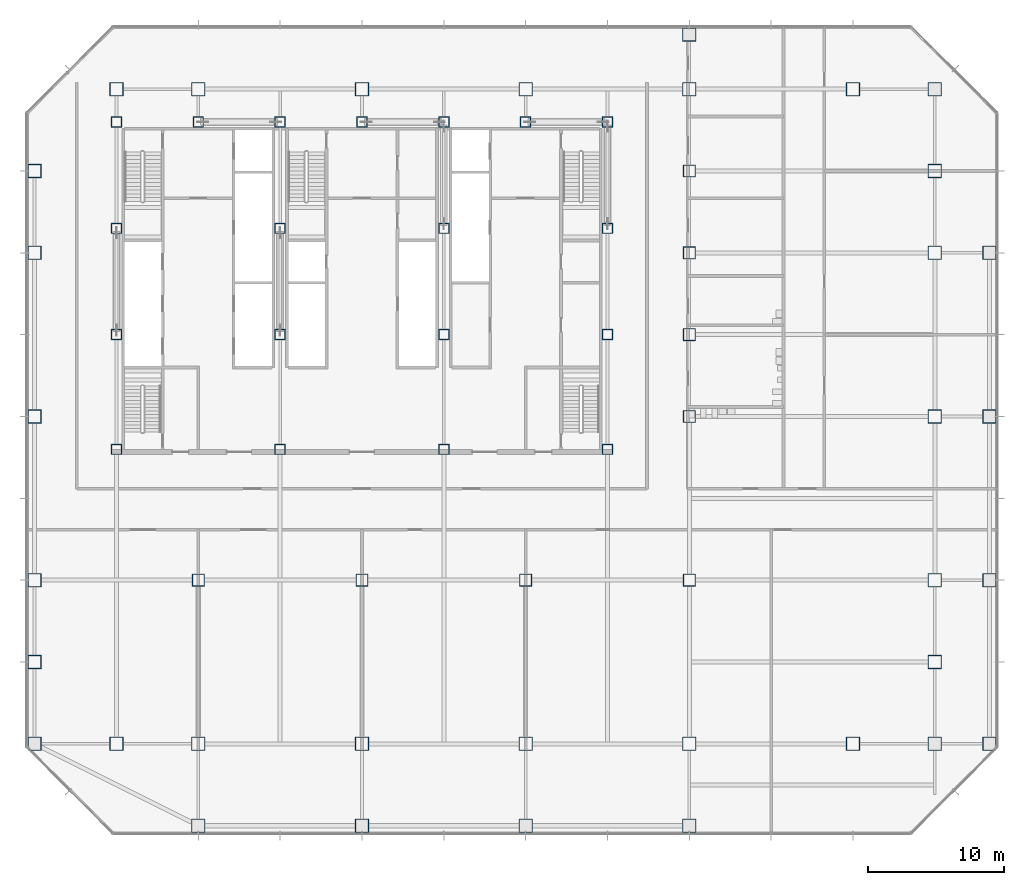
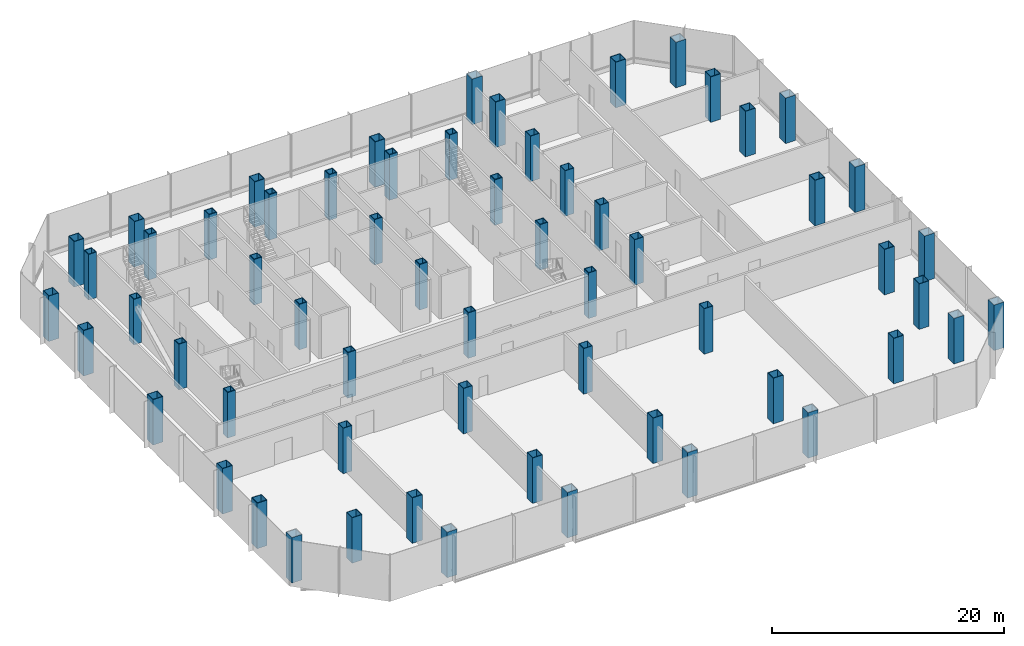
# One storey, part 1 of 34: 61 columns.
"""IFC4 building model written with IfcOpenShell, lengths in metres."""

from ifc_helpers import new_model, si_unit, direction, frame, origin, origin_2d, place, context, subcontext, project, spatial, hollow_rectangle, extrude, material, material_profile, profile_set, type_object, element, save


model = new_model("IFC4")

# Units and contexts
model_context = context("Model", 3, precision=1e-05, world=origin(), true_north=direction((0.0, 1.0)))
body_context = subcontext(model_context, "Body", "Model", "MODEL_VIEW")
ifc_project = project(units=[si_unit("LENGTHUNIT", "METRE"), si_unit("AREAUNIT", "SQUARE_METRE"), si_unit("VOLUMEUNIT", "CUBIC_METRE"), si_unit("PLANEANGLEUNIT", "RADIAN"), si_unit("MASSUNIT", "GRAM", prefix="KILO")], contexts=[model_context])

# Site, building, storey
site_placement = place(None, origin())
site = spatial("IfcSite", under=ifc_project, at=site_placement, CompositionType="ELEMENT")
building_placement = place(site_placement, origin())
building = spatial("IfcBuilding", under=site, at=building_placement, Name="Sorahane Residences", CompositionType="ELEMENT")
storey_placement = place(building_placement, frame((0.0, 0.0, 39.60009765625)))
storey = spatial("IfcBuildingStorey", under=building, at=storey_placement, Name="L06", CompositionType="ELEMENT", Elevation=39.60009765625)

# Columns
ifc_material_1 = material(Name="Steel Q420GJ", Category="steel")
ifc_material_profile_1 = material_profile(ifc_material_1, hollow_rectangle(XDim=1.0, YDim=1.0, WallThickness=0.050048828125, at=origin_2d()), Name="BOX 1000x1000x50")
ifc_profile_set_1 = profile_set([ifc_material_profile_1], Name="Steel Q420GJ")
column_type_1 = type_object("IfcColumnType", Name="Steel box column BOX 1000x1000x50 Q420GJ", PredefinedType="COLUMN", material=ifc_profile_set_1)
for number, where, z_axis, x_axis, name in (
    (1, (0.0, 0.0, 0.0), (0.0, 0.0, 1.0), (1.0, 0.0, 0.0), "Column L06 0/0"),
    (2, (0.0, 6.0, 0.0), (0.0, 0.0, 1.0), (1.0, 0.0, 0.0), "Column L06 m0/6"),
    (3, (0.0, 12.0, 0.0), (0.0, 0.0, 1.0), (1.0, 0.0, 0.0), "Column L06 m0/12"),
    (4, (0.0, 24.0, 0.0), (0.0, 0.0, 1.0), (1.0, 0.0, 0.0), "Column L06 m0/24"),
    (5, (0.0, 36.0, 0.0), (0.0, 0.0, 1.0), (1.0, 0.0, 0.0), "Column L06 m0/36"),
    (6, (0.0, 42.0, 0.0), (0.0, 0.0, 1.0), (1.0, 0.0, 0.0), "Column L06 m0/42"),
    (7, (6.0, 0.0, 0.0), (0.0, 0.0, 1.0), (1.0, 0.0, 0.0), "Column L06 6/0"),
    (8, (6.0, 48.0, 0.0), (0.0, 0.0, 1.0), (1.0, 0.0, 0.0), "Column L06 6/48"),
    (9, (12.0, -6.0, 0.0), (0.0, 0.0, 1.0), (1.0, 0.0, 0.0), "Column L06 12/m6"),
    (10, (12.0, 0.0, 0.0), (0.0, 0.0, 1.0), (1.0, 0.0, 0.0), "Column L06 12/0"),
    (11, (12.0, 48.0, 0.0), (0.0, 0.0, 1.0), (1.0, 0.0, 0.0), "Column L06 12/48"),
    (12, (24.0, -6.0, 0.0), (0.0, 0.0, 1.0), (1.0, 0.0, 0.0), "Column L06 24/m6"),
    (13, (24.0, 0.0, 0.0), (0.0, 0.0, 1.0), (1.0, 0.0, 0.0), "Column L06 24/0"),
    (14, (24.0, 48.0, 0.0), (0.0, 0.0, 1.0), (1.0, 0.0, 0.0), "Column L06 24/48"),
    (15, (36.0, -6.0, 0.0), (0.0, 0.0, 1.0), (1.0, 0.0, 0.0), "Column L06 36/m6"),
    (16, (36.0, 0.0, 0.0), (0.0, 0.0, 1.0), (1.0, 0.0, 0.0), "Column L06 36/0"),
    (17, (36.0, 48.0, 0.0), (0.0, 0.0, 1.0), (1.0, 0.0, 0.0), "Column L06 36/48"),
    (18, (48.0, -6.0, 0.0), (0.0, 0.0, 1.0), (1.0, 0.0, 0.0), "Column L06 48/m6"),
    (19, (48.0, 0.0, 0.0), (0.0, 0.0, 1.0), (1.0, 0.0, 0.0), "Column L06 48/0"),
    (20, (48.0, 48.0, 0.0), (0.0, 0.0, 1.0), (1.0, 0.0, 0.0), "Column L06 48/48"),
    (21, (48.0, 52.0, 0.0), (0.0, 0.0, 1.0), (1.0, 0.0, 0.0), "Column L06 48/52"),
    (22, (60.0, 0.0, 0.0), (0.0, 0.0, 1.0), (1.0, 0.0, 0.0), "Column L06 60/0"),
    (23, (60.0, 48.0, 0.0), (0.0, 0.0, 1.0), (1.0, 0.0, 0.0), "Column L06 60/48"),
    (24, (66.0, 0.0, 0.0), (0.0, 0.0, 1.0), (1.0, 0.0, 0.0), "Column L06 66/0"),
    (25, (66.0, 6.0, 0.0), (0.0, 0.0, 1.0), (1.0, 0.0, 0.0), "Column L06 66/6"),
    (26, (66.0, 12.0, 0.0), (0.0, 0.0, 1.0), (1.0, 0.0, 0.0), "Column L06 66/12"),
    (27, (66.0, 24.0, 0.0), (0.0, 0.0, 1.0), (1.0, 0.0, 0.0), "Column L06 66/24"),
    (28, (66.0, 36.0, 0.0), (0.0, 0.0, 1.0), (1.0, 0.0, 0.0), "Column L06 66/36"),
    (29, (66.0, 42.0, 0.0), (0.0, 0.0, 1.0), (1.0, 0.0, 0.0), "Column L06 66/42"),
    (30, (66.0, 48.0, 0.0), (0.0, 0.0, 1.0), (1.0, 0.0, 0.0), "Column L06 66/48"),
    (31, (70.0, 0.0, 0.0), (0.0, 0.0, 1.0), (1.0, 0.0, 0.0), "Column L06 70/0"),
    (32, (70.0, 12.0, 0.0), (0.0, 0.0, 1.0), (1.0, 0.0, 0.0), "Column L06 70/12"),
    (33, (70.0, 24.0, 0.0), (0.0, 0.0, 1.0), (1.0, 0.0, 0.0), "Column L06 70/24"),
    (34, (70.0, 36.0, 0.0), (0.0, 0.0, 1.0), (1.0, 0.0, 0.0), "Column L06 70/36"),
):
    element("IfcColumn", number, at=place(storey_placement, frame(where, z_axis=z_axis, x_axis=x_axis)), inside=storey, type_object=column_type_1, Name=name, PredefinedType="COLUMN", context=body_context, shape_type="SweptSolid", body=[
        extrude(hollow_rectangle(XDim=1.0, YDim=1.0, WallThickness=0.050048828125, at=origin_2d()), origin(), (0.0, 0.0, 1.0), 4.7998046875),
    ])
ifc_material_2 = material(Name="Steel Q420GJ", Category="steel")
ifc_material_profile_2 = material_profile(ifc_material_2, hollow_rectangle(XDim=0.800048828125, YDim=0.800048828125, WallThickness=0.070068359375, at=origin_2d()), Name="BOX 800x800x70")
ifc_profile_set_2 = profile_set([ifc_material_profile_2], Name="Steel Q420GJ")
column_type_2 = type_object("IfcColumnType", Name="Steel box column BOX 800x800x70 Q420GJ", PredefinedType="COLUMN", material=ifc_profile_set_2)
for number, where, z_axis, x_axis, name in (
    (35, (6.0, 21.60009765625, 0.0), (0.0, 0.0, 1.0), (1.0, 0.0, 0.0), "Column L06 6/21.6"),
    (36, (6.0, 30.0, 0.0), (0.0, 0.0, 1.0), (1.0, 0.0, 0.0), "Column L06 6/30"),
    (37, (6.0, 37.800048828125, 0.0), (0.0, 0.0, 1.0), (1.0, 0.0, 0.0), "Column L06 6/37.8"),
    (38, (6.0, 45.60009765625, 0.0), (0.0, 0.0, 1.0), (1.0, 0.0, 0.0), "Column L06 6/45.6"),
    (39, (12.0, 45.60009765625, 0.0), (0.0, 0.0, 1.0), (1.0, 0.0, 0.0), "Column L06 12/45.6"),
    (40, (18.0, 21.60009765625, 0.0), (0.0, 0.0, 1.0), (1.0, 0.0, 0.0), "Column L06 18/21.6"),
    (41, (18.0, 30.0, 0.0), (0.0, 0.0, 1.0), (1.0, 0.0, 0.0), "Column L06 18/30"),
    (42, (18.0, 37.800048828125, 0.0), (0.0, 0.0, 1.0), (1.0, 0.0, 0.0), "Column L06 18/37.8"),
    (43, (18.0, 45.60009765625, 0.0), (0.0, 0.0, 1.0), (1.0, 0.0, 0.0), "Column L06 18/45.6"),
    (44, (24.0, 45.60009765625, 0.0), (0.0, 0.0, 1.0), (1.0, 0.0, 0.0), "Column L06 24/45.6"),
    (45, (30.0, 21.60009765625, 0.0), (0.0, 0.0, 1.0), (1.0, 0.0, 0.0), "Column L06 30/21.6"),
    (46, (30.0, 30.0, 0.0), (0.0, 0.0, 1.0), (1.0, 0.0, 0.0), "Column L06 30/30"),
    (47, (30.0, 37.800048828125, 0.0), (0.0, 0.0, 1.0), (1.0, 0.0, 0.0), "Column L06 30/37.8"),
    (48, (30.0, 45.60009765625, 0.0), (0.0, 0.0, 1.0), (1.0, 0.0, 0.0), "Column L06 30/45.6"),
    (49, (36.0, 45.60009765625, 0.0), (0.0, 0.0, 1.0), (1.0, 0.0, 0.0), "Column L06 36/45.6"),
    (50, (42.0, 21.60009765625, 0.0), (0.0, 0.0, 1.0), (1.0, 0.0, 0.0), "Column L06 42/21.6"),
    (51, (42.0, 30.0, 0.0), (0.0, 0.0, 1.0), (1.0, 0.0, 0.0), "Column L06 42/30"),
    (52, (42.0, 37.800048828125, 0.0), (0.0, 0.0, 1.0), (1.0, 0.0, 0.0), "Column L06 42/37.8"),
    (53, (42.0, 45.60009765625, 0.0), (0.0, 0.0, 1.0), (1.0, 0.0, 0.0), "Column L06 42/45.6"),
):
    element("IfcColumn", number, at=place(storey_placement, frame(where, z_axis=z_axis, x_axis=x_axis)), inside=storey, type_object=column_type_2, Name=name, PredefinedType="COLUMN", context=body_context, shape_type="SweptSolid", body=[
        extrude(hollow_rectangle(XDim=0.800048828125, YDim=0.800048828125, WallThickness=0.070068359375, at=origin_2d()), origin(), (0.0, 0.0, 1.0), 4.7998046875),
    ])
ifc_material_3 = material(Name="Steel Q420GJ", Category="steel")
ifc_material_profile_3 = material_profile(ifc_material_3, hollow_rectangle(XDim=0.89990234375, YDim=0.89990234375, WallThickness=0.044921875, at=origin_2d()), Name="BOX 900x900x45")
ifc_profile_set_3 = profile_set([ifc_material_profile_3], Name="Steel Q420GJ")
column_type_3 = type_object("IfcColumnType", Name="Steel box column BOX 900x900x45 Q420GJ", PredefinedType="COLUMN", material=ifc_profile_set_3)
for number, where, z_axis, x_axis, name in (
    (54, (12.0, 12.0, 0.0), (0.0, 0.0, 1.0), (1.0, 0.0, 0.0), "Column L06 12/12"),
    (55, (24.0, 12.0, 0.0), (0.0, 0.0, 1.0), (1.0, 0.0, 0.0), "Column L06 24/12"),
    (56, (36.0, 12.0, 0.0), (0.0, 0.0, 1.0), (1.0, 0.0, 0.0), "Column L06 36/12"),
    (57, (48.0, 12.0, 0.0), (0.0, 0.0, 1.0), (1.0, 0.0, 0.0), "Column L06 48/12"),
    (58, (48.0, 24.0, 0.0), (0.0, 0.0, 1.0), (1.0, 0.0, 0.0), "Column L06 48/24"),
    (59, (48.0, 30.0, 0.0), (0.0, 0.0, 1.0), (1.0, 0.0, 0.0), "Column L06 48/30"),
    (60, (48.0, 36.0, 0.0), (0.0, 0.0, 1.0), (1.0, 0.0, 0.0), "Column L06 48/36"),
    (61, (48.0, 42.0, 0.0), (0.0, 0.0, 1.0), (1.0, 0.0, 0.0), "Column L06 48/42"),
):
    element("IfcColumn", number, at=place(storey_placement, frame(where, z_axis=z_axis, x_axis=x_axis)), inside=storey, type_object=column_type_3, Name=name, PredefinedType="COLUMN", context=body_context, shape_type="SweptSolid", body=[
        extrude(hollow_rectangle(XDim=0.89990234375, YDim=0.89990234375, WallThickness=0.044921875, at=origin_2d()), origin(), (0.0, 0.0, 1.0), 4.7998046875),
    ])

save(model, "model.ifc")
